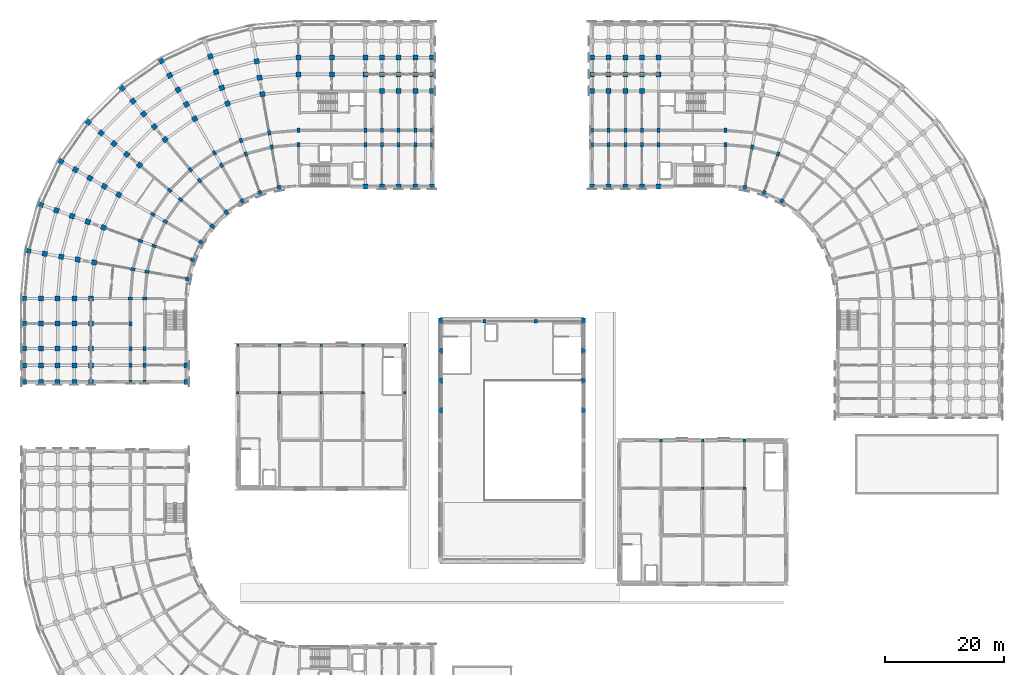
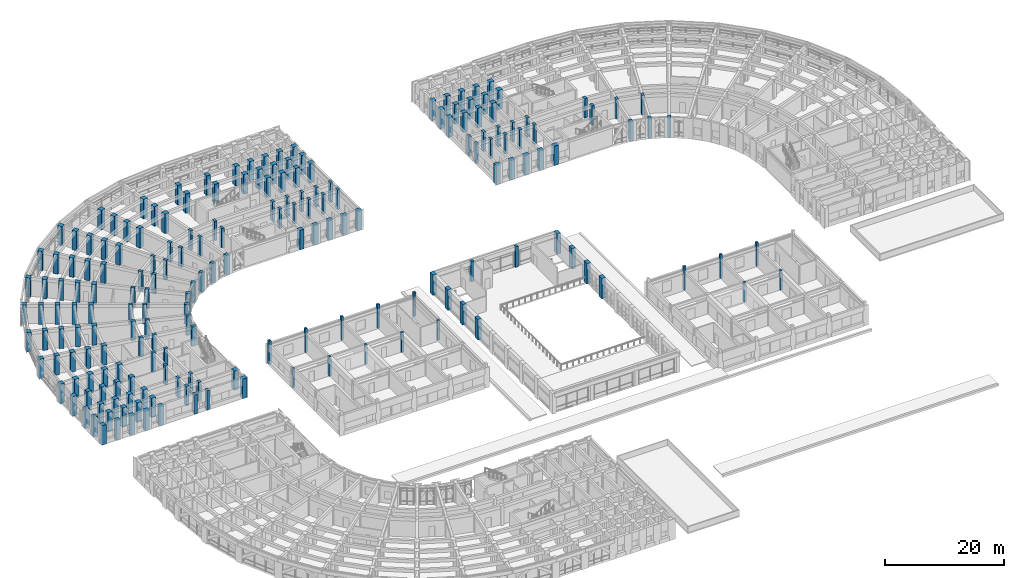
# One storey, part 2 of 97: 193 columns.
"""IFC4 building model written with IfcOpenShell, lengths in metres."""

from ifc_helpers import new_model, si_unit, direction, frame, origin, origin_2d, place, context, subcontext, project, spatial, rectangle, extrude, material, material_profile, profile_set, type_object, element, save


model = new_model("IFC4")

# Units and contexts
model_context = context("Model", 3, precision=1e-05, world=origin(), true_north=direction((0.0, 1.0)))
body_context = subcontext(model_context, "Body", "Model", "MODEL_VIEW")
ifc_project = project(units=[si_unit("LENGTHUNIT", "METRE"), si_unit("AREAUNIT", "SQUARE_METRE"), si_unit("VOLUMEUNIT", "CUBIC_METRE"), si_unit("PLANEANGLEUNIT", "RADIAN"), si_unit("MASSUNIT", "GRAM", prefix="KILO")], contexts=[model_context])

# Site, building, storey
site_placement = place(None, origin())
site = spatial("IfcSite", under=ifc_project, at=site_placement, CompositionType="ELEMENT")
building_placement = place(site_placement, origin())
building = spatial("IfcBuilding", under=site, at=building_placement, Name="Kiranvali Square Residences", CompositionType="ELEMENT")
storey_placement = place(building_placement, frame((0.0, 0.0, 4.5)))
storey = spatial("IfcBuildingStorey", under=building, at=storey_placement, Name="L01", CompositionType="ELEMENT", Elevation=4.5)

# Columns
ifc_material_1 = material(Name="Concrete M40 (40 MPa)", Category="concrete")
ifc_material_profile_1 = material_profile(ifc_material_1, rectangle(XDim=0.449951171875, YDim=0.449951171875, at=origin_2d()), Name="RC 450x450")
ifc_profile_set_1 = profile_set([ifc_material_profile_1], Name="Concrete M40 (40 MPa)")
column_type_1 = type_object("IfcColumnType", Name="COL-M40-450", PredefinedType="COLUMN", material=ifc_profile_set_1)
column_1_placement = place(storey_placement, frame((38.0, 72.0, 0.0), z_axis=(0.0, 0.0, 1.0), x_axis=(1.0, 0.0, 0.0)))
element("IfcColumn", 1, at=column_1_placement, inside=storey, type_object=column_type_1, Name="Nursery Pavilion L01 column 0-2", PredefinedType="COLUMN", context=body_context, shape_type="SweptSolid", body=[
    extrude(rectangle(XDim=0.449951171875, YDim=0.449951171875, at=origin_2d()), origin(), (0.0, 0.0, 1.0), 4.0),
])
column_2_placement = place(storey_placement, frame((38.0, 80.0, 0.0), z_axis=(0.0, 0.0, 1.0), x_axis=(1.0, 0.0, 0.0)))
element("IfcColumn", 2, at=column_2_placement, inside=storey, type_object=column_type_1, Name="Nursery Pavilion L01 column 0-3", PredefinedType="COLUMN", context=body_context, shape_type="SweptSolid", body=[
    extrude(rectangle(XDim=0.449951171875, YDim=0.449951171875, at=origin_2d()), origin(), (0.0, 0.0, 1.0), 4.85009765625),
])
column_3_placement = place(storey_placement, frame((45.0, 72.0, 0.0), z_axis=(0.0, 0.0, 1.0), x_axis=(1.0, 0.0, 0.0)))
element("IfcColumn", 3, at=column_3_placement, inside=storey, type_object=column_type_1, Name="Nursery Pavilion L01 column 1-2", PredefinedType="COLUMN", context=body_context, shape_type="SweptSolid", body=[
    extrude(rectangle(XDim=0.449951171875, YDim=0.449951171875, at=origin_2d()), origin(), (0.0, 0.0, 1.0), 4.0),
])
column_4_placement = place(storey_placement, frame((45.0, 80.0, 0.0), z_axis=(0.0, 0.0, 1.0), x_axis=(1.0, 0.0, 0.0)))
element("IfcColumn", 4, at=column_4_placement, inside=storey, type_object=column_type_1, Name="Nursery Pavilion L01 column 1-3", PredefinedType="COLUMN", context=body_context, shape_type="SweptSolid", body=[
    extrude(rectangle(XDim=0.449951171875, YDim=0.449951171875, at=origin_2d()), origin(), (0.0, 0.0, 1.0), 4.85009765625),
])
column_5_placement = place(storey_placement, frame((52.0, 72.0, 0.0), z_axis=(0.0, 0.0, 1.0), x_axis=(1.0, 0.0, 0.0)))
element("IfcColumn", 5, at=column_5_placement, inside=storey, type_object=column_type_1, Name="Nursery Pavilion L01 column 2-2", PredefinedType="COLUMN", context=body_context, shape_type="SweptSolid", body=[
    extrude(rectangle(XDim=0.449951171875, YDim=0.449951171875, at=origin_2d()), origin(), (0.0, 0.0, 1.0), 4.0),
])
column_6_placement = place(storey_placement, frame((52.0, 80.0, 0.0), z_axis=(0.0, 0.0, 1.0), x_axis=(1.0, 0.0, 0.0)))
element("IfcColumn", 6, at=column_6_placement, inside=storey, type_object=column_type_1, Name="Nursery Pavilion L01 column 2-3", PredefinedType="COLUMN", context=body_context, shape_type="SweptSolid", body=[
    extrude(rectangle(XDim=0.449951171875, YDim=0.449951171875, at=origin_2d()), origin(), (0.0, 0.0, 1.0), 4.85009765625),
])
column_7_placement = place(storey_placement, frame((59.0, 72.0, 0.0), z_axis=(0.0, 0.0, 1.0), x_axis=(1.0, 0.0, 0.0)))
element("IfcColumn", 7, at=column_7_placement, inside=storey, type_object=column_type_1, Name="Nursery Pavilion L01 column 3-2", PredefinedType="COLUMN", context=body_context, shape_type="SweptSolid", body=[
    extrude(rectangle(XDim=0.449951171875, YDim=0.449951171875, at=origin_2d()), origin(), (0.0, 0.0, 1.0), 4.0),
])
column_8_placement = place(storey_placement, frame((59.0, 80.0, 0.0), z_axis=(0.0, 0.0, 1.0), x_axis=(1.0, 0.0, 0.0)))
element("IfcColumn", 8, at=column_8_placement, inside=storey, type_object=column_type_1, Name="Nursery Pavilion L01 column 3-3", PredefinedType="COLUMN", context=body_context, shape_type="SweptSolid", body=[
    extrude(rectangle(XDim=0.449951171875, YDim=0.449951171875, at=origin_2d()), origin(), (0.0, 0.0, 1.0), 4.85009765625),
])
column_9_placement = place(storey_placement, frame((66.0, 72.0, 0.0), z_axis=(0.0, 0.0, 1.0), x_axis=(1.0, 0.0, 0.0)))
element("IfcColumn", 9, at=column_9_placement, inside=storey, type_object=column_type_1, Name="Nursery Pavilion L01 column 4-2", PredefinedType="COLUMN", context=body_context, shape_type="SweptSolid", body=[
    extrude(rectangle(XDim=0.449951171875, YDim=0.449951171875, at=origin_2d()), origin(), (0.0, 0.0, 1.0), 4.0),
])
for number, where, z_axis, x_axis, name in (
    (10, (66.0, 80.0, 0.0), (0.0, 0.0, 1.0), (1.0, 0.0, 0.0), "Nursery Pavilion L01 column 4-3"),
    (11, (109.0, 64.0, 0.0), (0.0, 0.0, 1.0), (1.0, 0.0, 0.0), "Southeast Square Retail Pavilion L01 column 1-3"),
):
    element("IfcColumn", number, at=place(storey_placement, frame(where, z_axis=z_axis, x_axis=x_axis)), inside=storey, type_object=column_type_1, Name=name, PredefinedType="COLUMN", context=body_context, shape_type="SweptSolid", body=[
        extrude(rectangle(XDim=0.449951171875, YDim=0.449951171875, at=origin_2d()), origin(), (0.0, 0.0, 1.0), 4.85009765625),
    ])
column_10_placement = place(storey_placement, frame((116.0, 56.0, 0.0), z_axis=(0.0, 0.0, 1.0), x_axis=(1.0, 0.0, 0.0)))
element("IfcColumn", 12, at=column_10_placement, inside=storey, type_object=column_type_1, Name="Southeast Square Retail Pavilion L01 column 2-2", PredefinedType="COLUMN", context=body_context, shape_type="SweptSolid", body=[
    extrude(rectangle(XDim=0.449951171875, YDim=0.449951171875, at=origin_2d()), origin(), (0.0, 0.0, 1.0), 4.0),
])
column_11_placement = place(storey_placement, frame((116.0, 64.0, 0.0), z_axis=(0.0, 0.0, 1.0), x_axis=(1.0, 0.0, 0.0)))
element("IfcColumn", 13, at=column_11_placement, inside=storey, type_object=column_type_1, Name="Southeast Square Retail Pavilion L01 column 2-3", PredefinedType="COLUMN", context=body_context, shape_type="SweptSolid", body=[
    extrude(rectangle(XDim=0.449951171875, YDim=0.449951171875, at=origin_2d()), origin(), (0.0, 0.0, 1.0), 4.85009765625),
])
column_12_placement = place(storey_placement, frame((123.0, 56.0, 0.0), z_axis=(0.0, 0.0, 1.0), x_axis=(1.0, 0.0, 0.0)))
element("IfcColumn", 14, at=column_12_placement, inside=storey, type_object=column_type_1, Name="Southeast Square Retail Pavilion L01 column 3-2", PredefinedType="COLUMN", context=body_context, shape_type="SweptSolid", body=[
    extrude(rectangle(XDim=0.449951171875, YDim=0.449951171875, at=origin_2d()), origin(), (0.0, 0.0, 1.0), 4.0),
])
column_13_placement = place(storey_placement, frame((123.0, 64.0, 0.0), z_axis=(0.0, 0.0, 1.0), x_axis=(1.0, 0.0, 0.0)))
element("IfcColumn", 15, at=column_13_placement, inside=storey, type_object=column_type_1, Name="Southeast Square Retail Pavilion L01 column 3-3", PredefinedType="COLUMN", context=body_context, shape_type="SweptSolid", body=[
    extrude(rectangle(XDim=0.449951171875, YDim=0.449951171875, at=origin_2d()), origin(), (0.0, 0.0, 1.0), 4.85009765625),
])
ifc_material_profile_2 = material_profile(ifc_material_1, rectangle(XDim=0.550048828125, YDim=0.550048828125, at=origin_2d()), Name="RC 550x550")
ifc_profile_set_2 = profile_set([ifc_material_profile_2], Name="Concrete M40 (40 MPa)")
column_type_2 = type_object("IfcColumnType", Name="COL-M40-550", PredefinedType="COLUMN", material=ifc_profile_set_2)
for number, where, z_axis, x_axis, name in (
    (16, (79.39990234375, 84.0, 0.0), (0.0, 0.0, 1.0), (1.0, 0.0, 0.0), "Community Hall gable column 79.4-84.0"),
    (17, (88.0, 84.0, 0.0), (0.0, 0.0, 1.0), (1.0, 0.0, 0.0), "Community Hall gable column 88.0-84.0"),
):
    element("IfcColumn", number, at=place(storey_placement, frame(where, z_axis=z_axis, x_axis=x_axis)), inside=storey, type_object=column_type_2, Name=name, PredefinedType="COLUMN", context=body_context, shape_type="SweptSolid", body=[
        extrude(rectangle(XDim=0.550048828125, YDim=0.550048828125, at=origin_2d()), origin(), (0.0, 0.0, 1.0), 4.199951171875),
    ])
ifc_material_2 = material(Name="Concrete M45 (45 MPa)", Category="concrete")
ifc_material_profile_3 = material_profile(ifc_material_2, rectangle(XDim=0.699951171875, YDim=1.0, at=origin_2d()), Name="RC 1000x700")
ifc_profile_set_3 = profile_set([ifc_material_profile_3], Name="Concrete M45 (45 MPa)")
column_type_3 = type_object("IfcColumnType", Name="COL-M45-1000x700", PredefinedType="COLUMN", material=ifc_profile_set_3)
for number, where, z_axis, x_axis, name in (
    (18, (72.0, 69.0, 0.0), (0.0, 0.0, 1.0), (1.0, 0.0, 0.0), "Community Hall buttressed pier W6 L01"),
    (19, (96.0, 69.0, 0.0), (0.0, 0.0, 1.0), (1.0, 0.0, 0.0), "Community Hall buttressed pier E6 L01"),
    (20, (72.0, 74.0, 0.0), (0.0, 0.0, 1.0), (1.0, 0.0, 0.0), "Community Hall buttressed pier W7 L01"),
    (21, (96.0, 74.0, 0.0), (0.0, 0.0, 1.0), (1.0, 0.0, 0.0), "Community Hall buttressed pier E7 L01"),
    (22, (72.0, 79.0, 0.0), (0.0, 0.0, 1.0), (1.0, 0.0, 0.0), "Community Hall buttressed pier W8 L01"),
    (23, (96.0, 79.0, 0.0), (0.0, 0.0, 1.0), (1.0, 0.0, 0.0), "Community Hall buttressed pier E8 L01"),
    (24, (72.0, 84.0, 0.0), (0.0, 0.0, 1.0), (1.0, 0.0, 0.0), "Community Hall buttressed pier W9 L01"),
    (25, (96.0, 84.0, 0.0), (0.0, 0.0, 1.0), (1.0, 0.0, 0.0), "Community Hall buttressed pier E9 L01"),
):
    element("IfcColumn", number, at=place(storey_placement, frame(where, z_axis=z_axis, x_axis=x_axis)), inside=storey, type_object=column_type_3, Name=name, PredefinedType="COLUMN", context=body_context, shape_type="SweptSolid", body=[
        extrude(rectangle(XDim=0.699951171875, YDim=1.0, at=origin_2d()), origin(), (0.0, 0.0, 1.0), 4.199951171875),
    ])
ifc_material_profile_4 = material_profile(ifc_material_2, rectangle(XDim=0.5, YDim=0.75, at=origin_2d()), Name="RC 750x500")
ifc_profile_set_4 = profile_set([ifc_material_profile_4], Name="Concrete M45 (45 MPa)")
column_type_4 = type_object("IfcColumnType", Name="COL-M45-750x500", PredefinedType="COLUMN", material=ifc_profile_set_4)
for number, where, z_axis, x_axis, name in (
    (26, (48.199951171875, 113.60009765625, 0.0), (0.0, 0.0, 1.0), (1.0, 0.0, 0.0), "Block A L01 radial column A00-R1"),
    (27, (48.199951171875, 116.0, 0.0), (0.0, 0.0, 1.0), (1.0, 0.0, 0.0), "Block A L01 radial column A00-R2"),
    (28, (43.719970703125, 113.2080078125, 0.0), (0.0, 0.0, 1.0), (0.984807753012, 0.173648177667, 0.0), "Block A L01 radial column A01-R1"),
    (29, (43.30322265625, 115.571533203125, 0.0), (0.0, 0.0, 1.0), (0.984807753012, 0.173648177667, 0.0), "Block A L01 radial column A01-R2"),
    (30, (39.3759765625, 112.044189453125, 0.0), (0.0, 0.0, 1.0), (0.939692620786, 0.342020143326, 0.0), "Block A L01 radial column A02-R1"),
    (31, (38.554931640625, 114.29931640625, 0.0), (0.0, 0.0, 1.0), (0.939692620786, 0.342020143326, 0.0), "Block A L01 radial column A02-R2"),
    (32, (35.300048828125, 110.1435546875, 0.0), (0.0, 0.0, 1.0), (0.866025403784, 0.5, 0.0), "Block A L01 radial column A03-R1"),
    (33, (34.10009765625, 112.221923828125, 0.0), (0.0, 0.0, 1.0), (0.866025403784, 0.5, 0.0), "Block A L01 radial column A03-R2"),
    (34, (31.615966796875, 107.56396484375, 0.0), (0.0, 0.0, 1.0), (0.766044443119, 0.642787609687, 0.0), "Block A L01 radial column A04-R1"),
    (35, (30.073486328125, 109.40234375, 0.0), (0.0, 0.0, 1.0), (0.766044443119, 0.642787609687, 0.0), "Block A L01 radial column A04-R2"),
    (36, (28.43603515625, 104.384033203125, 0.0), (0.0, 0.0, 1.0), (0.642787609687, 0.766044443119, 0.0), "Block A L01 radial column A05-R1"),
    (37, (26.59765625, 105.926513671875, 0.0), (0.0, 0.0, 1.0), (0.642787609687, 0.766044443119, 0.0), "Block A L01 radial column A05-R2"),
    (38, (25.8564453125, 100.699951171875, 0.0), (0.0, 0.0, 1.0), (0.5, 0.866025403784, 0.0), "Block A L01 radial column A06-R1"),
    (39, (23.778076171875, 101.89990234375, 0.0), (0.0, 0.0, 1.0), (0.5, 0.866025403784, 0.0), "Block A L01 radial column A06-R2"),
    (40, (23.955810546875, 96.6240234375, 0.0), (0.0, 0.0, 1.0), (0.342020143326, 0.939692620786, 0.0), "Block A L01 radial column A07-R1"),
    (41, (21.70068359375, 97.445068359375, 0.0), (0.0, 0.0, 1.0), (0.342020143326, 0.939692620786, 0.0), "Block A L01 radial column A07-R2"),
    (42, (22.7919921875, 92.280029296875, 0.0), (0.0, 0.0, 1.0), (0.173648177667, 0.984807753012, 0.0), "Block A L01 radial column A08-R1"),
    (43, (20.428466796875, 92.69677734375, 0.0), (0.0, 0.0, 1.0), (0.173648177667, 0.984807753012, 0.0), "Block A L01 radial column A08-R2"),
    (44, (22.39990234375, 87.800048828125, 0.0), (0.0, 0.0, 1.0), (0.0, 1.0, 0.0), "Block A L01 radial column A09-R1"),
    (45, (20.0, 87.800048828125, 0.0), (0.0, 0.0, 1.0), (0.0, 1.0, 0.0), "Block A L01 radial column A09-R2"),
    (46, (59.39990234375, 113.60009765625, 0.0), (0.0, 0.0, 1.0), (1.0, 0.0, 0.0), "Block A L01 Arm 1 column U1-R1"),
    (47, (59.39990234375, 116.0, 0.0), (0.0, 0.0, 1.0), (1.0, 0.0, 0.0), "Block A L01 Arm 1 column U1-R2"),
    (48, (62.199951171875, 113.60009765625, 0.0), (0.0, 0.0, 1.0), (1.0, 0.0, 0.0), "Block A L01 Arm 1 column U2-R1"),
    (49, (62.199951171875, 116.0, 0.0), (0.0, 0.0, 1.0), (1.0, 0.0, 0.0), "Block A L01 Arm 1 column U2-R2"),
    (50, (65.0, 113.60009765625, 0.0), (0.0, 0.0, 1.0), (1.0, 0.0, 0.0), "Block A L01 Arm 1 column U3-R1"),
    (51, (65.0, 116.0, 0.0), (0.0, 0.0, 1.0), (1.0, 0.0, 0.0), "Block A L01 Arm 1 column U3-R2"),
    (52, (67.800048828125, 113.60009765625, 0.0), (0.0, 0.0, 1.0), (1.0, 0.0, 0.0), "Block A L01 Arm 1 column U4-R1"),
    (53, (67.800048828125, 116.0, 0.0), (0.0, 0.0, 1.0), (1.0, 0.0, 0.0), "Block A L01 Arm 1 column U4-R2"),
    (54, (70.60009765625, 113.60009765625, 0.0), (0.0, 0.0, 1.0), (1.0, 0.0, 0.0), "Block A L01 Arm 1 column U5-R1"),
    (55, (70.60009765625, 116.0, 0.0), (0.0, 0.0, 1.0), (1.0, 0.0, 0.0), "Block A L01 Arm 1 column U5-R2"),
    (56, (20.0, 83.60009765625, 0.0), (0.0, 0.0, 1.0), (1.0, 0.0, 0.0), "Block A L01 Arm 2 mid-core column V0-R2"),
    (57, (22.39990234375, 79.39990234375, 0.0), (0.0, 0.0, 1.0), (1.0, 0.0, 0.0), "Block A L01 Arm 2 column V1-R1"),
    (58, (20.0, 79.39990234375, 0.0), (0.0, 0.0, 1.0), (1.0, 0.0, 0.0), "Block A L01 Arm 2 column V1-R2"),
    (59, (22.39990234375, 76.60009765625, 0.0), (0.0, 0.0, 1.0), (1.0, 0.0, 0.0), "Block A L01 Arm 2 column V2-R1"),
    (60, (20.0, 76.60009765625, 0.0), (0.0, 0.0, 1.0), (1.0, 0.0, 0.0), "Block A L01 Arm 2 column V2-R2"),
    (61, (22.39990234375, 73.800048828125, 0.0), (0.0, 0.0, 1.0), (1.0, 0.0, 0.0), "Block A L01 Arm 2 column V3-R1"),
    (62, (20.0, 73.800048828125, 0.0), (0.0, 0.0, 1.0), (1.0, 0.0, 0.0), "Block A L01 Arm 2 column V3-R2"),
    (63, (119.800048828125, 113.60009765625, 0.0), (0.0, 0.0, 1.0), (1.0, 0.0, 0.0), "Block B L01 radial column A00-R1"),
    (64, (119.800048828125, 116.0, 0.0), (0.0, 0.0, 1.0), (1.0, 0.0, 0.0), "Block B L01 radial column A00-R2"),
    (65, (124.280029296875, 113.2080078125, 0.0), (0.0, 0.0, 1.0), (-0.984807753012, 0.173648177667, 0.0), "Block B L01 radial column A01-R1"),
    (66, (128.6240234375, 112.044189453125, 0.0), (0.0, 0.0, 1.0), (-0.939692620786, 0.342020143326, 0.0), "Block B L01 radial column A02-R1"),
    (67, (108.60009765625, 113.60009765625, 0.0), (0.0, 0.0, 1.0), (1.0, 0.0, 0.0), "Block B L01 Arm 1 column U1-R1"),
    (68, (108.60009765625, 116.0, 0.0), (0.0, 0.0, 1.0), (1.0, 0.0, 0.0), "Block B L01 Arm 1 column U1-R2"),
    (69, (105.800048828125, 113.60009765625, 0.0), (0.0, 0.0, 1.0), (1.0, 0.0, 0.0), "Block B L01 Arm 1 column U2-R1"),
    (70, (105.800048828125, 116.0, 0.0), (0.0, 0.0, 1.0), (1.0, 0.0, 0.0), "Block B L01 Arm 1 column U2-R2"),
    (71, (103.0, 113.60009765625, 0.0), (0.0, 0.0, 1.0), (1.0, 0.0, 0.0), "Block B L01 Arm 1 column U3-R1"),
    (72, (103.0, 116.0, 0.0), (0.0, 0.0, 1.0), (1.0, 0.0, 0.0), "Block B L01 Arm 1 column U3-R2"),
    (73, (100.199951171875, 113.60009765625, 0.0), (0.0, 0.0, 1.0), (1.0, 0.0, 0.0), "Block B L01 Arm 1 column U4-R1"),
    (74, (100.199951171875, 116.0, 0.0), (0.0, 0.0, 1.0), (1.0, 0.0, 0.0), "Block B L01 Arm 1 column U4-R2"),
    (75, (97.39990234375, 113.60009765625, 0.0), (0.0, 0.0, 1.0), (1.0, 0.0, 0.0), "Block B L01 Arm 1 column U5-R1"),
    (76, (97.39990234375, 116.0, 0.0), (0.0, 0.0, 1.0), (1.0, 0.0, 0.0), "Block B L01 Arm 1 column U5-R2"),
):
    element("IfcColumn", number, at=place(storey_placement, frame(where, z_axis=z_axis, x_axis=x_axis)), inside=storey, type_object=column_type_4, Name=name, PredefinedType="COLUMN", context=body_context, shape_type="SweptSolid", body=[
        extrude(rectangle(XDim=0.5, YDim=0.75, at=origin_2d()), origin(), (0.0, 0.0, 1.0), 3.97998046875),
    ])
ifc_material_3 = material(Name="Concrete M50 (50 MPa)", Category="concrete")
ifc_material_profile_5 = material_profile(ifc_material_3, rectangle(XDim=0.85009765625, YDim=0.85009765625, at=origin_2d()), Name="RC 850x850")
ifc_profile_set_5 = profile_set([ifc_material_profile_5], Name="Concrete M50 (50 MPa)")
column_type_5 = type_object("IfcColumnType", Name="COL-M50-850", PredefinedType="COLUMN", material=ifc_profile_set_5)
for number, where, z_axis, x_axis, name in (
    (77, (48.199951171875, 125.39990234375, 0.0), (0.0, 0.0, 1.0), (1.0, 0.0, 0.0), "Block A L01 radial column A00-R4"),
    (78, (48.199951171875, 128.199951171875, 0.0), (0.0, 0.0, 1.0), (1.0, 0.0, 0.0), "Block A L01 radial column A00-R5"),
    (79, (42.156982421875, 122.0712890625, 0.0), (0.0, 0.0, 1.0), (0.984807753012, 0.173648177667, 0.0), "Block A L01 radial column A01-R3"),
    (80, (41.6708984375, 124.828857421875, 0.0), (0.0, 0.0, 1.0), (0.984807753012, 0.173648177667, 0.0), "Block A L01 radial column A01-R4"),
    (81, (41.1845703125, 127.586181640625, 0.0), (0.0, 0.0, 1.0), (0.984807753012, 0.173648177667, 0.0), "Block A L01 radial column A01-R5"),
    (82, (36.297607421875, 120.501220703125, 0.0), (0.0, 0.0, 1.0), (0.939692620786, 0.342020143326, 0.0), "Block A L01 radial column A02-R3"),
    (83, (35.340087890625, 123.13232421875, 0.0), (0.0, 0.0, 1.0), (0.939692620786, 0.342020143326, 0.0), "Block A L01 radial column A02-R4"),
    (84, (34.38232421875, 125.763671875, 0.0), (0.0, 0.0, 1.0), (0.939692620786, 0.342020143326, 0.0), "Block A L01 radial column A02-R5"),
    (85, (33.4248046875, 128.394775390625, 0.0), (0.0, 0.0, 1.0), (0.939692620786, 0.342020143326, 0.0), "Block A L01 radial column A02-R6"),
    (86, (30.800048828125, 117.937744140625, 0.0), (0.0, 0.0, 1.0), (0.866025403784, 0.5, 0.0), "Block A L01 radial column A03-R3"),
    (87, (29.39990234375, 120.362548828125, 0.0), (0.0, 0.0, 1.0), (0.866025403784, 0.5, 0.0), "Block A L01 radial column A03-R4"),
    (88, (28.0, 122.787353515625, 0.0), (0.0, 0.0, 1.0), (0.866025403784, 0.5, 0.0), "Block A L01 radial column A03-R5"),
    (89, (26.60009765625, 125.21240234375, 0.0), (0.0, 0.0, 1.0), (0.866025403784, 0.5, 0.0), "Block A L01 radial column A03-R6"),
    (90, (25.199951171875, 127.63720703125, 0.0), (0.0, 0.0, 1.0), (0.866025403784, 0.5, 0.0), "Block A L01 radial column A03-R7"),
    (91, (25.8310546875, 114.458251953125, 0.0), (0.0, 0.0, 1.0), (0.766044443119, 0.642787609687, 0.0), "Block A L01 radial column A04-R3"),
    (92, (24.03125, 116.603271484375, 0.0), (0.0, 0.0, 1.0), (0.766044443119, 0.642787609687, 0.0), "Block A L01 radial column A04-R4"),
    (93, (22.2314453125, 118.748291015625, 0.0), (0.0, 0.0, 1.0), (0.766044443119, 0.642787609687, 0.0), "Block A L01 radial column A04-R5"),
    (94, (20.431640625, 120.89306640625, 0.0), (0.0, 0.0, 1.0), (0.766044443119, 0.642787609687, 0.0), "Block A L01 radial column A04-R6"),
    (95, (18.6318359375, 123.0380859375, 0.0), (0.0, 0.0, 1.0), (0.766044443119, 0.642787609687, 0.0), "Block A L01 radial column A04-R7"),
    (96, (21.541748046875, 110.1689453125, 0.0), (0.0, 0.0, 1.0), (0.642787609687, 0.766044443119, 0.0), "Block A L01 radial column A05-R3"),
    (97, (19.396728515625, 111.96875, 0.0), (0.0, 0.0, 1.0), (0.642787609687, 0.766044443119, 0.0), "Block A L01 radial column A05-R4"),
    (98, (17.251708984375, 113.7685546875, 0.0), (0.0, 0.0, 1.0), (0.642787609687, 0.766044443119, 0.0), "Block A L01 radial column A05-R5"),
    (99, (15.10693359375, 115.568359375, 0.0), (0.0, 0.0, 1.0), (0.642787609687, 0.766044443119, 0.0), "Block A L01 radial column A05-R6"),
    (100, (12.9619140625, 117.3681640625, 0.0), (0.0, 0.0, 1.0), (0.642787609687, 0.766044443119, 0.0), "Block A L01 radial column A05-R7"),
    (101, (18.062255859375, 105.199951171875, 0.0), (0.0, 0.0, 1.0), (0.5, 0.866025403784, 0.0), "Block A L01 radial column A06-R3"),
    (102, (15.637451171875, 106.60009765625, 0.0), (0.0, 0.0, 1.0), (0.5, 0.866025403784, 0.0), "Block A L01 radial column A06-R4"),
    (103, (13.212646484375, 108.0, 0.0), (0.0, 0.0, 1.0), (0.5, 0.866025403784, 0.0), "Block A L01 radial column A06-R5"),
    (104, (10.78759765625, 109.39990234375, 0.0), (0.0, 0.0, 1.0), (0.5, 0.866025403784, 0.0), "Block A L01 radial column A06-R6"),
    (105, (8.36279296875, 110.800048828125, 0.0), (0.0, 0.0, 1.0), (0.5, 0.866025403784, 0.0), "Block A L01 radial column A06-R7"),
    (106, (15.498779296875, 99.702392578125, 0.0), (0.0, 0.0, 1.0), (0.342020143326, 0.939692620786, 0.0), "Block A L01 radial column A07-R3"),
    (107, (12.86767578125, 100.659912109375, 0.0), (0.0, 0.0, 1.0), (0.342020143326, 0.939692620786, 0.0), "Block A L01 radial column A07-R4"),
    (108, (10.236328125, 101.61767578125, 0.0), (0.0, 0.0, 1.0), (0.342020143326, 0.939692620786, 0.0), "Block A L01 radial column A07-R5"),
    (109, (7.605224609375, 102.5751953125, 0.0), (0.0, 0.0, 1.0), (0.342020143326, 0.939692620786, 0.0), "Block A L01 radial column A07-R6"),
    (110, (4.97412109375, 103.532958984375, 0.0), (0.0, 0.0, 1.0), (0.342020143326, 0.939692620786, 0.0), "Block A L01 radial column A07-R7"),
    (111, (13.9287109375, 93.843017578125, 0.0), (0.0, 0.0, 1.0), (0.173648177667, 0.984807753012, 0.0), "Block A L01 radial column A08-R3"),
    (112, (11.171142578125, 94.3291015625, 0.0), (0.0, 0.0, 1.0), (0.173648177667, 0.984807753012, 0.0), "Block A L01 radial column A08-R4"),
    (113, (8.413818359375, 94.8154296875, 0.0), (0.0, 0.0, 1.0), (0.173648177667, 0.984807753012, 0.0), "Block A L01 radial column A08-R5"),
    (114, (5.65625, 95.301513671875, 0.0), (0.0, 0.0, 1.0), (0.173648177667, 0.984807753012, 0.0), "Block A L01 radial column A08-R6"),
    (115, (2.89892578125, 95.787841796875, 0.0), (0.0, 0.0, 1.0), (0.173648177667, 0.984807753012, 0.0), "Block A L01 radial column A08-R7"),
    (116, (13.39990234375, 87.800048828125, 0.0), (0.0, 0.0, 1.0), (0.0, 1.0, 0.0), "Block A L01 radial column A09-R3"),
    (117, (10.60009765625, 87.800048828125, 0.0), (0.0, 0.0, 1.0), (0.0, 1.0, 0.0), "Block A L01 radial column A09-R4"),
    (118, (7.800048828125, 87.800048828125, 0.0), (0.0, 0.0, 1.0), (0.0, 1.0, 0.0), "Block A L01 radial column A09-R5"),
    (119, (5.0, 87.800048828125, 0.0), (0.0, 0.0, 1.0), (0.0, 1.0, 0.0), "Block A L01 radial column A09-R6"),
    (120, (2.199951171875, 87.800048828125, 0.0), (0.0, 0.0, 1.0), (0.0, 1.0, 0.0), "Block A L01 radial column A09-R7"),
    (121, (53.800048828125, 125.39990234375, 0.0), (0.0, 0.0, 1.0), (1.0, 0.0, 0.0), "Block A L01 core-front column U0-R4"),
    (122, (53.800048828125, 128.199951171875, 0.0), (0.0, 0.0, 1.0), (1.0, 0.0, 0.0), "Block A L01 core-front column U0-R5"),
    (123, (59.39990234375, 106.60009765625, 0.0), (0.0, 0.0, 1.0), (1.0, 0.0, 0.0), "Block A L01 Arm 1 column U1-R0"),
    (124, (59.39990234375, 125.39990234375, 0.0), (0.0, 0.0, 1.0), (1.0, 0.0, 0.0), "Block A L01 Arm 1 column U1-R4"),
    (125, (59.39990234375, 128.199951171875, 0.0), (0.0, 0.0, 1.0), (1.0, 0.0, 0.0), "Block A L01 Arm 1 column U1-R5"),
    (126, (62.199951171875, 106.60009765625, 0.0), (0.0, 0.0, 1.0), (1.0, 0.0, 0.0), "Block A L01 Arm 1 column U2-R0"),
    (127, (62.199951171875, 122.60009765625, 0.0), (0.0, 0.0, 1.0), (1.0, 0.0, 0.0), "Block A L01 Arm 1 column U2-R3"),
    (128, (62.199951171875, 125.39990234375, 0.0), (0.0, 0.0, 1.0), (1.0, 0.0, 0.0), "Block A L01 Arm 1 column U2-R4"),
    (129, (62.199951171875, 128.199951171875, 0.0), (0.0, 0.0, 1.0), (1.0, 0.0, 0.0), "Block A L01 Arm 1 column U2-R5"),
    (130, (65.0, 106.60009765625, 0.0), (0.0, 0.0, 1.0), (1.0, 0.0, 0.0), "Block A L01 Arm 1 column U3-R0"),
    (131, (65.0, 122.60009765625, 0.0), (0.0, 0.0, 1.0), (1.0, 0.0, 0.0), "Block A L01 Arm 1 column U3-R3"),
    (132, (65.0, 125.39990234375, 0.0), (0.0, 0.0, 1.0), (1.0, 0.0, 0.0), "Block A L01 Arm 1 column U3-R4"),
    (133, (65.0, 128.199951171875, 0.0), (0.0, 0.0, 1.0), (1.0, 0.0, 0.0), "Block A L01 Arm 1 column U3-R5"),
    (134, (67.800048828125, 106.60009765625, 0.0), (0.0, 0.0, 1.0), (1.0, 0.0, 0.0), "Block A L01 Arm 1 column U4-R0"),
    (135, (67.800048828125, 122.60009765625, 0.0), (0.0, 0.0, 1.0), (1.0, 0.0, 0.0), "Block A L01 Arm 1 column U4-R3"),
    (136, (67.800048828125, 125.39990234375, 0.0), (0.0, 0.0, 1.0), (1.0, 0.0, 0.0), "Block A L01 Arm 1 column U4-R4"),
    (137, (67.800048828125, 128.199951171875, 0.0), (0.0, 0.0, 1.0), (1.0, 0.0, 0.0), "Block A L01 Arm 1 column U4-R5"),
    (138, (70.60009765625, 106.60009765625, 0.0), (0.0, 0.0, 1.0), (1.0, 0.0, 0.0), "Block A L01 Arm 1 column U5-R0"),
    (139, (70.60009765625, 122.60009765625, 0.0), (0.0, 0.0, 1.0), (1.0, 0.0, 0.0), "Block A L01 Arm 1 column U5-R3"),
    (140, (70.60009765625, 125.39990234375, 0.0), (0.0, 0.0, 1.0), (1.0, 0.0, 0.0), "Block A L01 Arm 1 column U5-R4"),
    (141, (70.60009765625, 128.199951171875, 0.0), (0.0, 0.0, 1.0), (1.0, 0.0, 0.0), "Block A L01 Arm 1 column U5-R5"),
    (142, (13.39990234375, 83.60009765625, 0.0), (0.0, 0.0, 1.0), (1.0, 0.0, 0.0), "Block A L01 Arm 2 mid-core column V0-R3"),
    (143, (10.60009765625, 83.60009765625, 0.0), (0.0, 0.0, 1.0), (1.0, 0.0, 0.0), "Block A L01 Arm 2 mid-core column V0-R4"),
    (144, (7.800048828125, 83.60009765625, 0.0), (0.0, 0.0, 1.0), (1.0, 0.0, 0.0), "Block A L01 Arm 2 mid-core column V0-R5"),
    (145, (5.0, 83.60009765625, 0.0), (0.0, 0.0, 1.0), (1.0, 0.0, 0.0), "Block A L01 Arm 2 mid-core column V0-R6"),
    (146, (2.199951171875, 83.60009765625, 0.0), (0.0, 0.0, 1.0), (1.0, 0.0, 0.0), "Block A L01 Arm 2 mid-core column V0-R7"),
    (147, (13.39990234375, 79.39990234375, 0.0), (0.0, 0.0, 1.0), (1.0, 0.0, 0.0), "Block A L01 Arm 2 column V1-R3"),
    (148, (10.60009765625, 79.39990234375, 0.0), (0.0, 0.0, 1.0), (1.0, 0.0, 0.0), "Block A L01 Arm 2 column V1-R4"),
    (149, (7.800048828125, 79.39990234375, 0.0), (0.0, 0.0, 1.0), (1.0, 0.0, 0.0), "Block A L01 Arm 2 column V1-R5"),
    (150, (5.0, 79.39990234375, 0.0), (0.0, 0.0, 1.0), (1.0, 0.0, 0.0), "Block A L01 Arm 2 column V1-R6"),
    (151, (2.199951171875, 79.39990234375, 0.0), (0.0, 0.0, 1.0), (1.0, 0.0, 0.0), "Block A L01 Arm 2 column V1-R7"),
    (152, (29.39990234375, 76.60009765625, 0.0), (0.0, 0.0, 1.0), (1.0, 0.0, 0.0), "Block A L01 Arm 2 column V2-R0"),
    (153, (13.39990234375, 76.60009765625, 0.0), (0.0, 0.0, 1.0), (1.0, 0.0, 0.0), "Block A L01 Arm 2 column V2-R3"),
    (154, (10.60009765625, 76.60009765625, 0.0), (0.0, 0.0, 1.0), (1.0, 0.0, 0.0), "Block A L01 Arm 2 column V2-R4"),
    (155, (7.800048828125, 76.60009765625, 0.0), (0.0, 0.0, 1.0), (1.0, 0.0, 0.0), "Block A L01 Arm 2 column V2-R5"),
    (156, (5.0, 76.60009765625, 0.0), (0.0, 0.0, 1.0), (1.0, 0.0, 0.0), "Block A L01 Arm 2 column V2-R6"),
    (157, (2.199951171875, 76.60009765625, 0.0), (0.0, 0.0, 1.0), (1.0, 0.0, 0.0), "Block A L01 Arm 2 column V2-R7"),
    (158, (29.39990234375, 73.800048828125, 0.0), (0.0, 0.0, 1.0), (1.0, 0.0, 0.0), "Block A L01 Arm 2 column V3-R0"),
    (159, (13.39990234375, 73.800048828125, 0.0), (0.0, 0.0, 1.0), (1.0, 0.0, 0.0), "Block A L01 Arm 2 column V3-R3"),
    (160, (10.60009765625, 73.800048828125, 0.0), (0.0, 0.0, 1.0), (1.0, 0.0, 0.0), "Block A L01 Arm 2 column V3-R4"),
    (161, (7.800048828125, 73.800048828125, 0.0), (0.0, 0.0, 1.0), (1.0, 0.0, 0.0), "Block A L01 Arm 2 column V3-R5"),
    (162, (5.0, 73.800048828125, 0.0), (0.0, 0.0, 1.0), (1.0, 0.0, 0.0), "Block A L01 Arm 2 column V3-R6"),
    (163, (2.199951171875, 73.800048828125, 0.0), (0.0, 0.0, 1.0), (1.0, 0.0, 0.0), "Block A L01 Arm 2 column V3-R7"),
    (164, (108.60009765625, 106.60009765625, 0.0), (0.0, 0.0, 1.0), (1.0, 0.0, 0.0), "Block B L01 Arm 1 column U1-R0"),
    (165, (108.60009765625, 125.39990234375, 0.0), (0.0, 0.0, 1.0), (1.0, 0.0, 0.0), "Block B L01 Arm 1 column U1-R4"),
    (166, (108.60009765625, 128.199951171875, 0.0), (0.0, 0.0, 1.0), (1.0, 0.0, 0.0), "Block B L01 Arm 1 column U1-R5"),
    (167, (105.800048828125, 106.60009765625, 0.0), (0.0, 0.0, 1.0), (1.0, 0.0, 0.0), "Block B L01 Arm 1 column U2-R0"),
    (168, (105.800048828125, 122.60009765625, 0.0), (0.0, 0.0, 1.0), (1.0, 0.0, 0.0), "Block B L01 Arm 1 column U2-R3"),
    (169, (105.800048828125, 125.39990234375, 0.0), (0.0, 0.0, 1.0), (1.0, 0.0, 0.0), "Block B L01 Arm 1 column U2-R4"),
    (170, (105.800048828125, 128.199951171875, 0.0), (0.0, 0.0, 1.0), (1.0, 0.0, 0.0), "Block B L01 Arm 1 column U2-R5"),
    (171, (103.0, 106.60009765625, 0.0), (0.0, 0.0, 1.0), (1.0, 0.0, 0.0), "Block B L01 Arm 1 column U3-R0"),
    (172, (103.0, 122.60009765625, 0.0), (0.0, 0.0, 1.0), (1.0, 0.0, 0.0), "Block B L01 Arm 1 column U3-R3"),
    (173, (103.0, 125.39990234375, 0.0), (0.0, 0.0, 1.0), (1.0, 0.0, 0.0), "Block B L01 Arm 1 column U3-R4"),
    (174, (103.0, 128.199951171875, 0.0), (0.0, 0.0, 1.0), (1.0, 0.0, 0.0), "Block B L01 Arm 1 column U3-R5"),
    (175, (100.199951171875, 106.60009765625, 0.0), (0.0, 0.0, 1.0), (1.0, 0.0, 0.0), "Block B L01 Arm 1 column U4-R0"),
    (176, (100.199951171875, 122.60009765625, 0.0), (0.0, 0.0, 1.0), (1.0, 0.0, 0.0), "Block B L01 Arm 1 column U4-R3"),
    (177, (100.199951171875, 125.39990234375, 0.0), (0.0, 0.0, 1.0), (1.0, 0.0, 0.0), "Block B L01 Arm 1 column U4-R4"),
    (178, (100.199951171875, 128.199951171875, 0.0), (0.0, 0.0, 1.0), (1.0, 0.0, 0.0), "Block B L01 Arm 1 column U4-R5"),
    (179, (97.39990234375, 106.60009765625, 0.0), (0.0, 0.0, 1.0), (1.0, 0.0, 0.0), "Block B L01 Arm 1 column U5-R0"),
    (180, (97.39990234375, 122.60009765625, 0.0), (0.0, 0.0, 1.0), (1.0, 0.0, 0.0), "Block B L01 Arm 1 column U5-R3"),
    (181, (97.39990234375, 125.39990234375, 0.0), (0.0, 0.0, 1.0), (1.0, 0.0, 0.0), "Block B L01 Arm 1 column U5-R4"),
    (182, (97.39990234375, 128.199951171875, 0.0), (0.0, 0.0, 1.0), (1.0, 0.0, 0.0), "Block B L01 Arm 1 column U5-R5"),
):
    element("IfcColumn", number, at=place(storey_placement, frame(where, z_axis=z_axis, x_axis=x_axis)), inside=storey, type_object=column_type_5, Name=name, PredefinedType="COLUMN", context=body_context, shape_type="SweptSolid", body=[
        extrude(rectangle(XDim=0.85009765625, YDim=0.85009765625, at=origin_2d()), origin(), (0.0, 0.0, 1.0), 3.97998046875),
    ])
ifc_material_profile_6 = material_profile(ifc_material_3, rectangle(XDim=0.60009765625, YDim=0.89990234375, at=origin_2d()), Name="RC 900x600")
ifc_profile_set_6 = profile_set([ifc_material_profile_6], Name="Concrete M50 (50 MPa)")
column_type_6 = type_object("IfcColumnType", Name="COL-M50-900x600", PredefinedType="COLUMN", material=ifc_profile_set_6)
for number, where, z_axis, x_axis, name in (
    (183, (44.935302734375, 106.314453125, 0.0), (0.0, 0.0, 1.0), (0.984807753012, 0.173648177667, 0.0), "Block A L01 radial column A01-R0"),
    (184, (41.77001953125, 105.46630859375, 0.0), (0.0, 0.0, 1.0), (0.939692620786, 0.342020143326, 0.0), "Block A L01 radial column A02-R0"),
    (185, (38.800048828125, 104.081298828125, 0.0), (0.0, 0.0, 1.0), (0.866025403784, 0.5, 0.0), "Block A L01 radial column A03-R0"),
    (186, (36.115478515625, 102.20166015625, 0.0), (0.0, 0.0, 1.0), (0.766044443119, 0.642787609687, 0.0), "Block A L01 radial column A04-R0"),
    (187, (33.79833984375, 99.884521484375, 0.0), (0.0, 0.0, 1.0), (0.642787609687, 0.766044443119, 0.0), "Block A L01 radial column A05-R0"),
    (188, (31.918701171875, 97.199951171875, 0.0), (0.0, 0.0, 1.0), (0.5, 0.866025403784, 0.0), "Block A L01 radial column A06-R0"),
    (189, (30.53369140625, 94.22998046875, 0.0), (0.0, 0.0, 1.0), (0.342020143326, 0.939692620786, 0.0), "Block A L01 radial column A07-R0"),
    (190, (29.685546875, 91.064697265625, 0.0), (0.0, 0.0, 1.0), (0.173648177667, 0.984807753012, 0.0), "Block A L01 radial column A08-R0"),
    (191, (123.064697265625, 106.314453125, 0.0), (0.0, 0.0, 1.0), (-0.984807753012, 0.173648177667, 0.0), "Block B L01 radial column A01-R0"),
    (192, (126.22998046875, 105.46630859375, 0.0), (0.0, 0.0, 1.0), (-0.939692620786, 0.342020143326, 0.0), "Block B L01 radial column A02-R0"),
    (193, (129.199951171875, 104.081298828125, 0.0), (0.0, 0.0, 1.0), (-0.866025403784, 0.5, 0.0), "Block B L01 radial column A03-R0"),
):
    element("IfcColumn", number, at=place(storey_placement, frame(where, z_axis=z_axis, x_axis=x_axis)), inside=storey, type_object=column_type_6, Name=name, PredefinedType="COLUMN", context=body_context, shape_type="SweptSolid", body=[
        extrude(rectangle(XDim=0.60009765625, YDim=0.89990234375, at=origin_2d()), origin(), (0.0, 0.0, 1.0), 3.97998046875),
    ])

save(model, "model.ifc")
